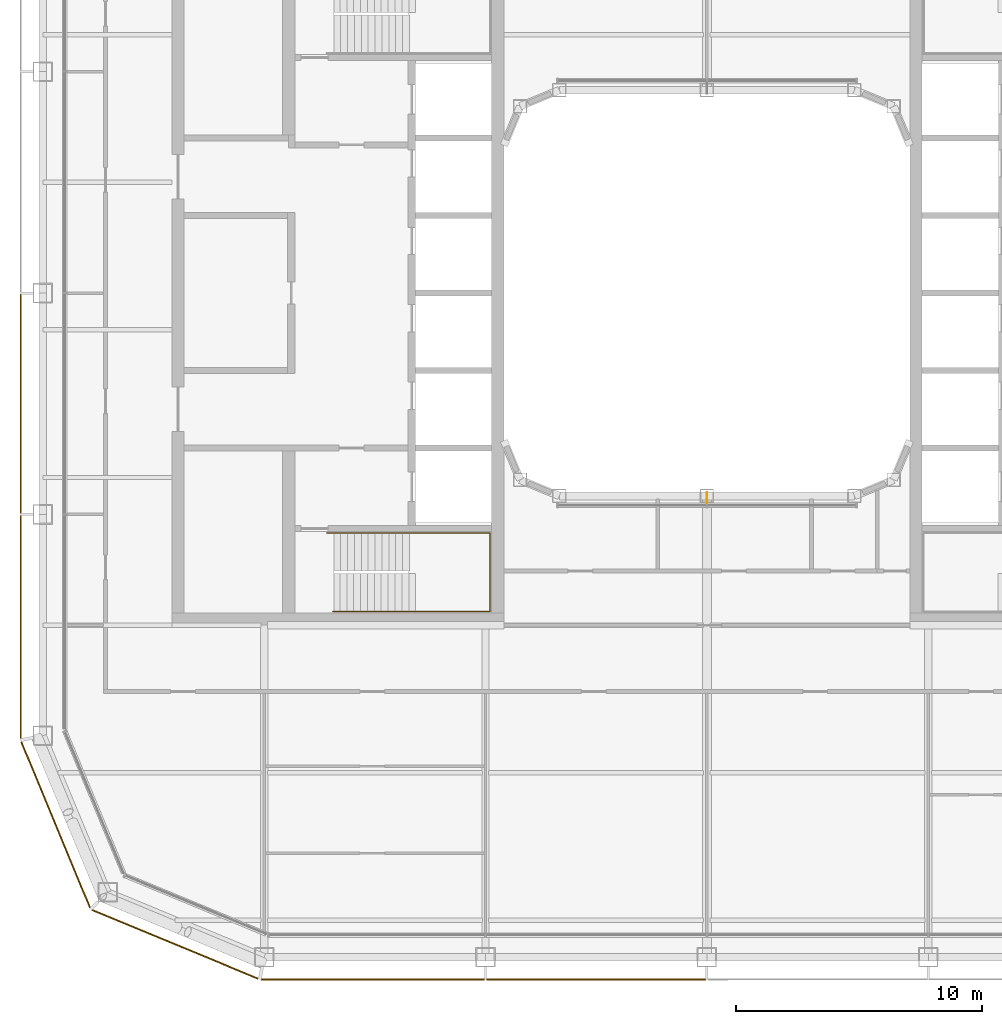
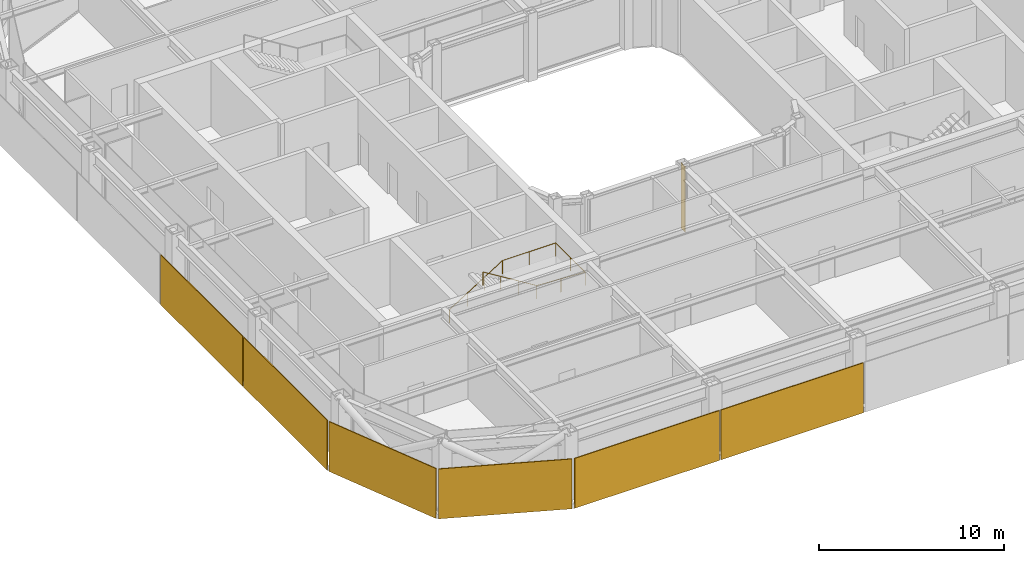
# One storey, part 16 of 19: 6 coverings, 1 railing, 1 shading device.
"""IFC4 building model written with IfcOpenShell, lengths in metres."""

from ifc_helpers import new_model, si_unit, direction, frame, origin, origin_2d, place, context, subcontext, project, spatial, rectangle, circle, extrude, material, layer, layer_set, type_object, element, save


model = new_model("IFC4")

# Units and contexts
model_context = context("Model", 3, precision=1e-05, world=origin(), true_north=direction((0.0, 1.0)))
body_context = subcontext(model_context, "Body", "Model", "MODEL_VIEW")
ifc_project = project(units=[si_unit("LENGTHUNIT", "METRE"), si_unit("AREAUNIT", "SQUARE_METRE"), si_unit("VOLUMEUNIT", "CUBIC_METRE"), si_unit("PLANEANGLEUNIT", "RADIAN"), si_unit("MASSUNIT", "GRAM", prefix="KILO")], contexts=[model_context])

# Site, building, storey
site_placement = place(None, origin())
site = spatial("IfcSite", under=ifc_project, at=site_placement, CompositionType="ELEMENT")
building_placement = place(site_placement, origin())
building = spatial("IfcBuilding", under=site, at=building_placement, Name="Siwar Civic Tower", CompositionType="ELEMENT")
storey_placement = place(building_placement, frame((0.0, 0.0, 264.699951171875)))
storey = spatial("IfcBuildingStorey", under=building, at=storey_placement, Name="L57", CompositionType="ELEMENT", Elevation=264.699951171875)

# Railing
ifc_material_1 = material(Name="Stainless steel", Category="steel")
railing_type = type_object("IfcRailingType", Name="CORE-STAIR-HANDRAIL", PredefinedType="HANDRAIL", material=ifc_material_1)
railing_placement = place(storey_placement, frame((-15.449951171875, -9.758056640625, 0.173095703125)))
element("IfcRailing", 1, at=railing_placement, inside=storey, type_object=railing_type, Name="Stair handrail ST2", PredefinedType="HANDRAIL", context=body_context, shape_type="SweptSolid", body=[
    extrude(circle(Radius=0.02001953125, at=origin_2d()), frame((0.0, 0.0, 0.8798828125), z_axis=(0.847063342986, 0.0, 0.531491950051), x_axis=(0.0, 1.0, 0.0)), (0.0, 0.0, 1.0), 3.90771484375),
    extrude(circle(Radius=0.02001953125, at=origin_2d()), frame((3.31005859375, 0.0, 2.956787109375), z_axis=(1.0, 0.0, 0.0), x_axis=(0.0, 1.0, 0.0)), (0.0, 0.0, 1.0), 3.331787109375),
    extrude(circle(Radius=0.02001953125, at=origin_2d()), frame((6.641845703125, 0.0, 2.956787109375), z_axis=(0.0, -1.0, 0.0), x_axis=(1.0, 0.0, 0.0)), (0.0, 0.0, 1.0), 3.183837890625),
    extrude(circle(Radius=0.02001953125, at=origin_2d()), frame((6.641845703125, -3.183837890625, 2.956787109375), z_axis=(-0.99837434197, 0.0, 0.056997134106), x_axis=(0.0, -1.0, 0.0)), (0.0, 0.0, 1.0), 3.036865234375),
    extrude(circle(Radius=0.02001953125, at=origin_2d()), frame((3.60986328125, -3.183837890625, 3.1298828125), z_axis=(-0.850606129759, 0.0, 0.525803396734), x_axis=(0.0, -1.0, 0.0)), (0.0, 0.0, 1.0), 3.949951171875),
    extrude(circle(Radius=0.02001953125, at=origin_2d()), origin(), (0.0, 0.0, 1.0), 0.85986328125),
    extrude(circle(Radius=0.02001953125, at=origin_2d()), frame((1.103271484375, 0.0, 0.6923828125)), (0.0, 0.0, 1.0), 0.85986328125),
    extrude(circle(Radius=0.02001953125, at=origin_2d()), frame((2.206787109375, 0.0, 1.384521484375)), (0.0, 0.0, 1.0), 0.85986328125),
    extrude(circle(Radius=0.02001953125, at=origin_2d()), frame((3.31005859375, 0.0, 2.076904296875)), (0.0, 0.0, 1.0), 0.85986328125),
    extrude(circle(Radius=0.02001953125, at=origin_2d()), frame((4.97607421875, 0.0, 2.076904296875)), (0.0, 0.0, 1.0), 0.85986328125),
    extrude(circle(Radius=0.02001953125, at=origin_2d()), frame((6.641845703125, 0.0, 2.076904296875)), (0.0, 0.0, 1.0), 0.85986328125),
    extrude(circle(Radius=0.02001953125, at=origin_2d()), frame((6.641845703125, -1.591796875, 2.076904296875)), (0.0, 0.0, 1.0), 0.85986328125),
    extrude(circle(Radius=0.02001953125, at=origin_2d()), frame((6.641845703125, -3.183837890625, 2.076904296875)), (0.0, 0.0, 1.0), 0.85986328125),
    extrude(circle(Radius=0.02001953125, at=origin_2d()), frame((5.1259765625, -3.183837890625, 2.16357421875)), (0.0, 0.0, 1.0), 0.85986328125),
    extrude(circle(Radius=0.02001953125, at=origin_2d()), frame((3.60986328125, -3.183837890625, 2.25)), (0.0, 0.0, 1.0), 0.85986328125),
    extrude(circle(Radius=0.02001953125, at=origin_2d()), frame((2.489990234375, -3.183837890625, 2.9423828125)), (0.0, 0.0, 1.0), 0.85986328125),
    extrude(circle(Radius=0.02001953125, at=origin_2d()), frame((1.369873046875, -3.183837890625, 3.634521484375)), (0.0, 0.0, 1.0), 0.85986328125),
    extrude(circle(Radius=0.02001953125, at=origin_2d()), frame((0.25, -3.183837890625, 4.326904296875)), (0.0, 0.0, 1.0), 0.85986328125),
])

# Shading device
ifc_material_2 = material(Name="Aluminium 6063-T6", Category="aluminium")
ifc_layer_1 = layer(ifc_material_2, 0.02001953125)
ifc_layer_set_1 = layer_set([ifc_layer_1], Name="Aluminium 6063-T6")
shading_device_type = type_object("IfcShadingDeviceType", Name="ENV-FIN", PredefinedType="JALOUSIE", material=ifc_layer_set_1)
shading_device_placement = place(storey_placement, frame((0.0, -8.320068359375, 0.0), z_axis=(0.0, 0.0, 1.0), x_axis=(1.0, 0.0, 0.0)))
element("IfcShadingDevice", 2, at=shading_device_placement, inside=storey, type_object=shading_device_type, Name="SUNSHADE fin WS 1", PredefinedType="JALOUSIE", context=body_context, shape_type="SweptSolid", body=[
    extrude(rectangle(XDim=0.02001953125, YDim=0.449951171875, at=origin_2d()), origin(), (0.0, 0.0, 1.0), 4.35009765625),
])

# Coverings
ifc_material_3 = material(Name="Perforated aluminium cassette, pale metal", Category="aluminium")
ifc_layer_2 = layer(ifc_material_3, 0.050048828125)
ifc_layer_set_2 = layer_set([ifc_layer_2], Name="Perforated aluminium cassette, pale metal")
covering_type_1 = type_object("IfcCoveringType", Name="ENV-OUTER SKIN OS-3", PredefinedType="CLADDING", material=ifc_layer_set_2)
covering_1_placement = place(storey_placement, frame((-27.89990234375, -4.5, -0.14990234375), z_axis=(0.0, 0.0, 1.0), x_axis=(0.0, -1.0, 0.0)))
element("IfcCovering", 3, at=covering_1_placement, inside=storey, type_object=covering_type_1, Name="OUTER SKIN OS-3 W 3", PredefinedType="CLADDING", context=body_context, shape_type="SweptSolid", body=[
    extrude(rectangle(XDim=8.89990234375, YDim=0.050048828125, at=origin_2d()), origin(), (0.0, 0.0, 1.0), 3.300048828125),
])
covering_2_placement = place(storey_placement, frame((-27.89990234375, -13.57958984375, -0.14990234375), z_axis=(0.0, 0.0, 1.0), x_axis=(0.0, -1.0, 0.0)))
element("IfcCovering", 4, at=covering_2_placement, inside=storey, type_object=covering_type_1, Name="OUTER SKIN OS-3 W 4", PredefinedType="CLADDING", context=body_context, shape_type="SweptSolid", body=[
    extrude(rectangle(XDim=9.05908203125, YDim=0.050048828125, at=origin_2d()), origin(), (0.0, 0.0, 1.0), 3.300048828125),
])
ifc_material_4 = material(Name="Perforated aluminium cassette, pale metal", Category="aluminium")
ifc_layer_3 = layer(ifc_material_4, 0.054931640625)
ifc_layer_set_3 = layer_set([ifc_layer_3], Name="Perforated aluminium cassette, pale metal")
covering_type_2 = type_object("IfcCoveringType", Name="ENV-OUTER SKIN OS-4", PredefinedType="CLADDING", material=ifc_layer_set_3)
covering_3_placement = place(storey_placement, frame((-13.57958984375, -27.89990234375, -0.14990234375), z_axis=(0.0, 0.0, 1.0), x_axis=(1.0, 0.0, 0.0)))
element("IfcCovering", 5, at=covering_3_placement, inside=storey, type_object=covering_type_2, Name="OUTER SKIN OS-4 S 1", PredefinedType="CLADDING", context=body_context, shape_type="SweptSolid", body=[
    extrude(rectangle(XDim=9.05908203125, YDim=0.054931640625, at=origin_2d()), origin(), (0.0, 0.0, 1.0), 3.300048828125),
])
covering_4_placement = place(storey_placement, frame((-4.5, -27.89990234375, -0.14990234375), z_axis=(0.0, 0.0, 1.0), x_axis=(1.0, 0.0, 0.0)))
element("IfcCovering", 6, at=covering_4_placement, inside=storey, type_object=covering_type_2, Name="OUTER SKIN OS-4 S 2", PredefinedType="CLADDING", context=body_context, shape_type="SweptSolid", body=[
    extrude(rectangle(XDim=8.89990234375, YDim=0.054931640625, at=origin_2d()), origin(), (0.0, 0.0, 1.0), 3.300048828125),
])
for number, where, z_axis, x_axis, name in (
    (7, (-26.476318359375, -21.615966796875, -0.14990234375), (0.0, 0.0, 1.0), (0.382683432365, -0.923879532511, 0.0), "OUTER SKIN OS-4 SW1 1"),
    (8, (-21.615966796875, -26.476318359375, -0.14990234375), (0.0, 0.0, 1.0), (0.923879532511, -0.382683432365, 0.0), "OUTER SKIN OS-4 SW2 1"),
):
    element("IfcCovering", number, at=place(storey_placement, frame(where, z_axis=z_axis, x_axis=x_axis)), inside=storey, type_object=covering_type_2, Name=name, PredefinedType="CLADDING", context=body_context, shape_type="SweptSolid", body=[
        extrude(rectangle(XDim=7.300048828125, YDim=0.054931640625, at=origin_2d()), origin(), (0.0, 0.0, 1.0), 3.300048828125),
    ])

save(model, "model.ifc")
